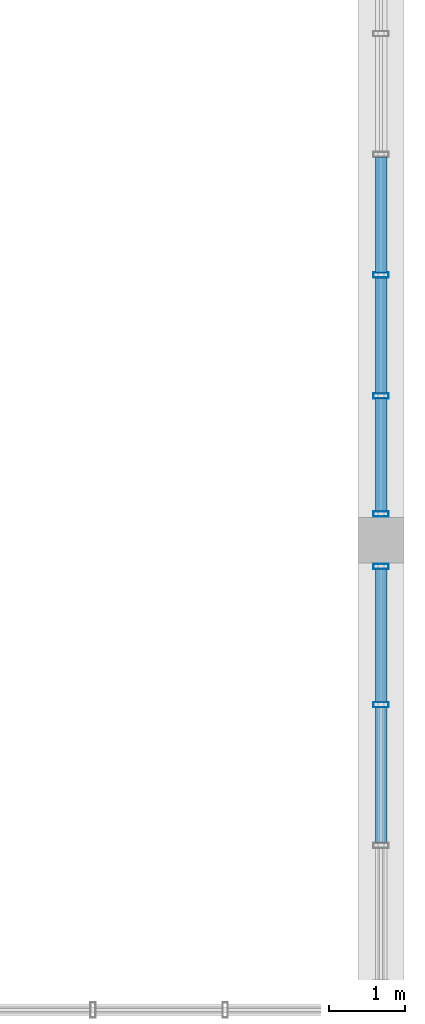
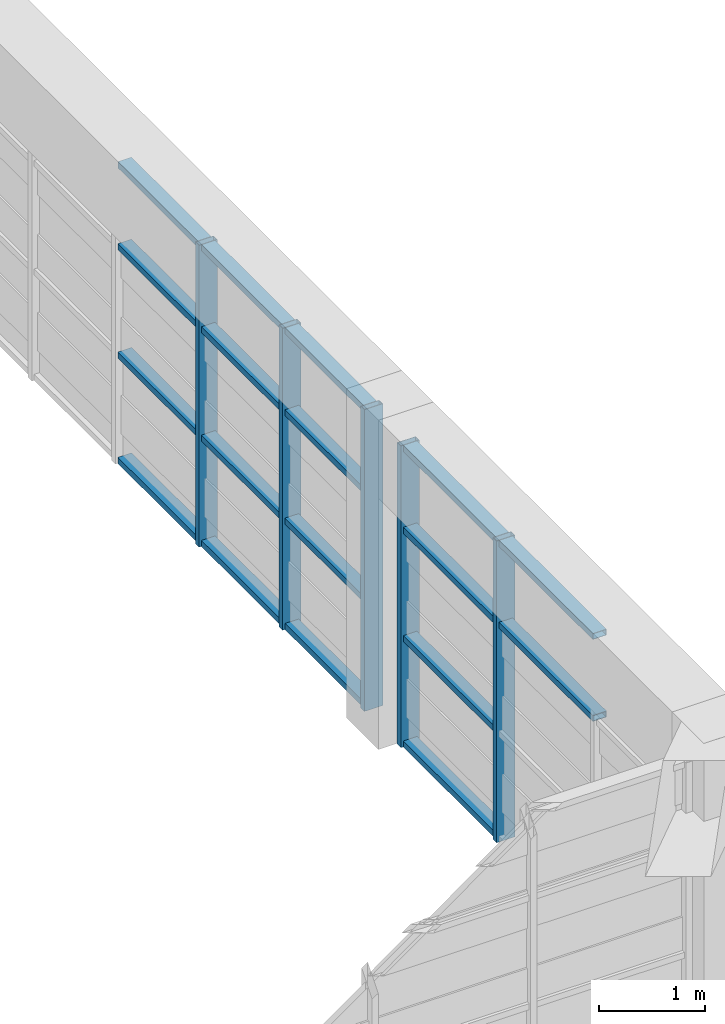
# One storey, part 7 of 27: 23 members, 2 elements without a shape of their own.
"""IFC4 building model written with IfcOpenShell, lengths in metres."""

from ifc_helpers import new_model, si_unit, direction, frame, origin, origin_2d, place, context, subcontext, project, spatial, hollow_rectangle, extrude, source, transform, mapped, material, layer, layer_set, material_profile, profile_set, type_object, element, aggregate, save


model = new_model("IFC4")

# Units and contexts
model_context = context("Model", 3, precision=1e-05, world=origin(), true_north=direction((0.0, 1.0)))
body_context = subcontext(model_context, "Body", "Model", "MODEL_VIEW")
ifc_project = project(units=[si_unit("LENGTHUNIT", "METRE"), si_unit("AREAUNIT", "SQUARE_METRE"), si_unit("VOLUMEUNIT", "CUBIC_METRE"), si_unit("PLANEANGLEUNIT", "RADIAN"), si_unit("MASSUNIT", "GRAM", prefix="KILO")], contexts=[model_context])

# Site, building, storey
site_placement = place(None, origin())
site = spatial("IfcSite", under=ifc_project, at=site_placement, CompositionType="ELEMENT")
building_placement = place(site_placement, origin())
building = spatial("IfcBuilding", under=site, at=building_placement, Name="Saelheon Loggia Tower", CompositionType="ELEMENT")
storey_placement = place(building_placement, frame((0.0, 0.0, 256.0)))
storey = spatial("IfcBuildingStorey", under=building, at=storey_placement, Name="CR2", CompositionType="ELEMENT", Elevation=256.0)

# Curtain wall, members
ifc_material_1 = material(Name="Bronze-Anodised Aluminium and Fritted Ceramic Screen", Category="aluminium")
ifc_layer = layer(ifc_material_1, 0.219970703125)
ifc_layer_set = layer_set([ifc_layer], Name="Bronze-Anodised Aluminium and Fritted Ceramic Screen")
curtain_wall_type = type_object("IfcCurtainWallType", Name="CW_CrownScreen", PredefinedType="NOTDEFINED", material=ifc_layer_set)
curtain_wall_1_placement = place(storey_placement, origin())
curtain_wall_1 = element("IfcCurtainWall", 1, at=curtain_wall_1_placement, inside=storey, type_object=curtain_wall_type, Name="CR2 Crown Screen Curtain Wall 3-1", PredefinedType="NOTDEFINED")
ifc_material_2 = material(Name="Bronze-Anodised Aluminium 6063-T6", Category="aluminium")
ifc_material_profile_1 = material_profile(ifc_material_2, hollow_rectangle(XDim=0.070068359375, YDim=0.199951171875, WallThickness=0.0048828125, at=origin_2d()), Name="RHS-200x70x5")
ifc_profile_set_1 = profile_set([ifc_material_profile_1], Name="Bronze-Anodised Aluminium 6063-T6")
member_type_1 = type_object("IfcMemberType", Name="CW_CrownScreen_Mullion", PredefinedType="MULLION", material=ifc_profile_set_1)
shared_shape_1 = source(origin(), body_context, "Body", "SweptSolid", [
    extrude(hollow_rectangle(XDim=0.070068359375, YDim=0.199951171875, WallThickness=0.0048828125, at=origin_2d()), origin(), (0.0, 0.0, 1.0), 3.47998046875),
])
member_1_placement = place(storey_placement, frame((52.64990234375, 15.8466796875, 0.0), z_axis=(0.0, 0.0, 1.0), x_axis=(0.0, 1.0, 0.0)))
member_1 = element("IfcMember", 2, at=member_1_placement, type_object=member_type_1, Name="CW6 mullion 3", PredefinedType="MULLION", context=body_context, shape_type="MappedRepresentation", body=[
    mapped(shared_shape_1, transform((0.0, 0.0, 0.0), scale=1.0)),
])
member_2_placement = place(storey_placement, frame((52.64990234375, 17.655029296875, 0.0), z_axis=(0.0, 0.0, 1.0), x_axis=(0.0, 1.0, 0.0)))
member_2 = element("IfcMember", 3, at=member_2_placement, type_object=member_type_1, Name="CW6 mullion 4", PredefinedType="MULLION", context=body_context, shape_type="MappedRepresentation", body=[
    mapped(shared_shape_1, transform((0.0, 0.0, 0.0), scale=1.0)),
])

curtain_wall_2_placement = place(storey_placement, origin())
curtain_wall_2 = element("IfcCurtainWall", 4, at=curtain_wall_2_placement, inside=storey, type_object=curtain_wall_type, Name="CR2 Crown Screen Curtain Wall 3-2", PredefinedType="NOTDEFINED")
member_3_placement = place(storey_placement, frame((52.64990234375, 18.344970703125, 0.0), z_axis=(0.0, 0.0, 1.0), x_axis=(0.0, 1.0, 0.0)))
member_3 = element("IfcMember", 5, at=member_3_placement, type_object=member_type_1, Name="CW6 mullion 1", PredefinedType="MULLION", context=body_context, shape_type="MappedRepresentation", body=[
    mapped(shared_shape_1, transform((0.0, 0.0, 0.0), scale=1.0)),
])
member_4_placement = place(storey_placement, frame((52.64990234375, 19.889892578125, 0.0), z_axis=(0.0, 0.0, 1.0), x_axis=(0.0, 1.0, 0.0)))
member_4 = element("IfcMember", 6, at=member_4_placement, type_object=member_type_1, Name="CW6 mullion 2", PredefinedType="MULLION", context=body_context, shape_type="MappedRepresentation", body=[
    mapped(shared_shape_1, transform((0.0, 0.0, 0.0), scale=1.0)),
])
member_5_placement = place(storey_placement, frame((52.64990234375, 21.469970703125, 0.0), z_axis=(0.0, 0.0, 1.0), x_axis=(0.0, 1.0, 0.0)))
member_5 = element("IfcMember", 7, at=member_5_placement, type_object=member_type_1, Name="CW6 mullion 3", PredefinedType="MULLION", context=body_context, shape_type="MappedRepresentation", body=[
    mapped(shared_shape_1, transform((0.0, 0.0, 0.0), scale=1.0)),
])

# Member
ifc_material_profile_2 = material_profile(ifc_material_2, hollow_rectangle(XDim=0.070068359375, YDim=0.14990234375, WallThickness=0.0048828125, at=origin_2d()), Name="RHS-150x70x5")
ifc_profile_set_2 = profile_set([ifc_material_profile_2], Name="Bronze-Anodised Aluminium 6063-T6")
member_type_2 = type_object("IfcMemberType", Name="CW_CrownScreen_Transom", PredefinedType="USERDEFINED", material=ifc_profile_set_2)
shared_shape_2 = source(origin(), body_context, "Body", "SweptSolid", [
    extrude(hollow_rectangle(XDim=0.070068359375, YDim=0.14990234375, WallThickness=0.0048828125, at=origin_2d()), origin(), (0.0, 0.0, 1.0), 1.7734375),
])
member_6_placement = place(storey_placement, frame((52.64990234375, 14.038330078125, 2.5), z_axis=(0.0, 1.0, 0.0), x_axis=(0.0, 0.0, 1.0)))
member_6 = element("IfcMember", 8, at=member_6_placement, type_object=member_type_2, Name="CW6 transom 2.3", ObjectType="TRANSOM", PredefinedType="USERDEFINED", context=body_context, shape_type="MappedRepresentation", body=[
    mapped(shared_shape_2, transform((0.0, 0.0, 0.0), scale=1.0)),
])

member_7_placement = place(storey_placement, frame((52.64990234375, 14.038330078125, 3.445068359375), z_axis=(0.0, 1.0, 0.0), x_axis=(0.0, 0.0, 1.0)))
member_7 = element("IfcMember", 9, at=member_7_placement, type_object=member_type_2, Name="CW6 transom 2.4", ObjectType="TRANSOM", PredefinedType="USERDEFINED", context=body_context, shape_type="MappedRepresentation", body=[
    mapped(shared_shape_2, transform((0.0, 0.0, 0.0), scale=1.0)),
])

shared_shape_3 = source(origin(), body_context, "Body", "SweptSolid", [
    extrude(hollow_rectangle(XDim=0.070068359375, YDim=0.14990234375, WallThickness=0.0048828125, at=origin_2d()), origin(), (0.0, 0.0, 1.0), 1.738525390625),
])
member_8_placement = place(storey_placement, frame((52.64990234375, 15.881591796875, 0.034912109375), z_axis=(0.0, 1.0, 0.0), x_axis=(0.0, 0.0, 1.0)))
member_8 = element("IfcMember", 10, at=member_8_placement, type_object=member_type_2, Name="CW6 transom 3.1", ObjectType="TRANSOM", PredefinedType="USERDEFINED", context=body_context, shape_type="MappedRepresentation", body=[
    mapped(shared_shape_3, transform((0.0, 0.0, 0.0), scale=1.0)),
])

member_9_placement = place(storey_placement, frame((52.64990234375, 15.881591796875, 1.25), z_axis=(0.0, 1.0, 0.0), x_axis=(0.0, 0.0, 1.0)))
member_9 = element("IfcMember", 11, at=member_9_placement, type_object=member_type_2, Name="CW6 transom 3.2", ObjectType="TRANSOM", PredefinedType="USERDEFINED", context=body_context, shape_type="MappedRepresentation", body=[
    mapped(shared_shape_3, transform((0.0, 0.0, 0.0), scale=1.0)),
])

member_10_placement = place(storey_placement, frame((52.64990234375, 15.881591796875, 2.5), z_axis=(0.0, 1.0, 0.0), x_axis=(0.0, 0.0, 1.0)))
member_10 = element("IfcMember", 12, at=member_10_placement, type_object=member_type_2, Name="CW6 transom 3.3", ObjectType="TRANSOM", PredefinedType="USERDEFINED", context=body_context, shape_type="MappedRepresentation", body=[
    mapped(shared_shape_3, transform((0.0, 0.0, 0.0), scale=1.0)),
])

member_11_placement = place(storey_placement, frame((52.64990234375, 15.881591796875, 3.445068359375), z_axis=(0.0, 1.0, 0.0), x_axis=(0.0, 0.0, 1.0)))
member_11 = element("IfcMember", 13, at=member_11_placement, type_object=member_type_2, Name="CW6 transom 3.4", ObjectType="TRANSOM", PredefinedType="USERDEFINED", context=body_context, shape_type="MappedRepresentation", body=[
    mapped(shared_shape_3, transform((0.0, 0.0, 0.0), scale=1.0)),
])

aggregate(curtain_wall_1, [member_1, member_2, member_6, member_7, member_8, member_9, member_10, member_11])

shared_shape_4 = source(origin(), body_context, "Body", "SweptSolid", [
    extrude(hollow_rectangle(XDim=0.070068359375, YDim=0.14990234375, WallThickness=0.0048828125, at=origin_2d()), origin(), (0.0, 0.0, 1.0), 1.47509765625),
])
member_12_placement = place(storey_placement, frame((52.64990234375, 18.3798828125, 0.034912109375), z_axis=(0.0, 1.0, 0.0), x_axis=(0.0, 0.0, 1.0)))
member_12 = element("IfcMember", 14, at=member_12_placement, type_object=member_type_2, Name="CW6 transom 1.1", ObjectType="TRANSOM", PredefinedType="USERDEFINED", context=body_context, shape_type="MappedRepresentation", body=[
    mapped(shared_shape_4, transform((0.0, 0.0, 0.0), scale=1.0)),
])

member_13_placement = place(storey_placement, frame((52.64990234375, 18.3798828125, 1.25), z_axis=(0.0, 1.0, 0.0), x_axis=(0.0, 0.0, 1.0)))
member_13 = element("IfcMember", 15, at=member_13_placement, type_object=member_type_2, Name="CW6 transom 1.2", ObjectType="TRANSOM", PredefinedType="USERDEFINED", context=body_context, shape_type="MappedRepresentation", body=[
    mapped(shared_shape_4, transform((0.0, 0.0, 0.0), scale=1.0)),
])

member_14_placement = place(storey_placement, frame((52.64990234375, 18.3798828125, 2.5), z_axis=(0.0, 1.0, 0.0), x_axis=(0.0, 0.0, 1.0)))
member_14 = element("IfcMember", 16, at=member_14_placement, type_object=member_type_2, Name="CW6 transom 1.3", ObjectType="TRANSOM", PredefinedType="USERDEFINED", context=body_context, shape_type="MappedRepresentation", body=[
    mapped(shared_shape_4, transform((0.0, 0.0, 0.0), scale=1.0)),
])

member_15_placement = place(storey_placement, frame((52.64990234375, 18.3798828125, 3.445068359375), z_axis=(0.0, 1.0, 0.0), x_axis=(0.0, 0.0, 1.0)))
member_15 = element("IfcMember", 17, at=member_15_placement, type_object=member_type_2, Name="CW6 transom 1.4", ObjectType="TRANSOM", PredefinedType="USERDEFINED", context=body_context, shape_type="MappedRepresentation", body=[
    mapped(shared_shape_4, transform((0.0, 0.0, 0.0), scale=1.0)),
])

shared_shape_5 = source(origin(), body_context, "Body", "SweptSolid", [
    extrude(hollow_rectangle(XDim=0.070068359375, YDim=0.14990234375, WallThickness=0.0048828125, at=origin_2d()), origin(), (0.0, 0.0, 1.0), 1.510009765625),
])
member_16_placement = place(storey_placement, frame((52.64990234375, 19.925048828125, 0.034912109375), z_axis=(0.0, 1.0, 0.0), x_axis=(0.0, 0.0, 1.0)))
member_16 = element("IfcMember", 18, at=member_16_placement, type_object=member_type_2, Name="CW6 transom 2.1", ObjectType="TRANSOM", PredefinedType="USERDEFINED", context=body_context, shape_type="MappedRepresentation", body=[
    mapped(shared_shape_5, transform((0.0, 0.0, 0.0), scale=1.0)),
])

member_17_placement = place(storey_placement, frame((52.64990234375, 19.925048828125, 1.25), z_axis=(0.0, 1.0, 0.0), x_axis=(0.0, 0.0, 1.0)))
member_17 = element("IfcMember", 19, at=member_17_placement, type_object=member_type_2, Name="CW6 transom 2.2", ObjectType="TRANSOM", PredefinedType="USERDEFINED", context=body_context, shape_type="MappedRepresentation", body=[
    mapped(shared_shape_5, transform((0.0, 0.0, 0.0), scale=1.0)),
])

member_18_placement = place(storey_placement, frame((52.64990234375, 19.925048828125, 2.5), z_axis=(0.0, 1.0, 0.0), x_axis=(0.0, 0.0, 1.0)))
member_18 = element("IfcMember", 20, at=member_18_placement, type_object=member_type_2, Name="CW6 transom 2.3", ObjectType="TRANSOM", PredefinedType="USERDEFINED", context=body_context, shape_type="MappedRepresentation", body=[
    mapped(shared_shape_5, transform((0.0, 0.0, 0.0), scale=1.0)),
])

member_19_placement = place(storey_placement, frame((52.64990234375, 19.925048828125, 3.445068359375), z_axis=(0.0, 1.0, 0.0), x_axis=(0.0, 0.0, 1.0)))
member_19 = element("IfcMember", 21, at=member_19_placement, type_object=member_type_2, Name="CW6 transom 2.4", ObjectType="TRANSOM", PredefinedType="USERDEFINED", context=body_context, shape_type="MappedRepresentation", body=[
    mapped(shared_shape_5, transform((0.0, 0.0, 0.0), scale=1.0)),
])

member_20_placement = place(storey_placement, frame((52.64990234375, 21.5048828125, 0.034912109375), z_axis=(0.0, 1.0, 0.0), x_axis=(0.0, 0.0, 1.0)))
member_20 = element("IfcMember", 22, at=member_20_placement, type_object=member_type_2, Name="CW6 transom 3.1", ObjectType="TRANSOM", PredefinedType="USERDEFINED", context=body_context, shape_type="MappedRepresentation", body=[
    mapped(shared_shape_5, transform((0.0, 0.0, 0.0), scale=1.0)),
])

member_21_placement = place(storey_placement, frame((52.64990234375, 21.5048828125, 1.25), z_axis=(0.0, 1.0, 0.0), x_axis=(0.0, 0.0, 1.0)))
member_21 = element("IfcMember", 23, at=member_21_placement, type_object=member_type_2, Name="CW6 transom 3.2", ObjectType="TRANSOM", PredefinedType="USERDEFINED", context=body_context, shape_type="MappedRepresentation", body=[
    mapped(shared_shape_5, transform((0.0, 0.0, 0.0), scale=1.0)),
])

member_22_placement = place(storey_placement, frame((52.64990234375, 21.5048828125, 2.5), z_axis=(0.0, 1.0, 0.0), x_axis=(0.0, 0.0, 1.0)))
member_22 = element("IfcMember", 24, at=member_22_placement, type_object=member_type_2, Name="CW6 transom 3.3", ObjectType="TRANSOM", PredefinedType="USERDEFINED", context=body_context, shape_type="MappedRepresentation", body=[
    mapped(shared_shape_5, transform((0.0, 0.0, 0.0), scale=1.0)),
])

member_23_placement = place(storey_placement, frame((52.64990234375, 21.5048828125, 3.445068359375), z_axis=(0.0, 1.0, 0.0), x_axis=(0.0, 0.0, 1.0)))
member_23 = element("IfcMember", 25, at=member_23_placement, type_object=member_type_2, Name="CW6 transom 3.4", ObjectType="TRANSOM", PredefinedType="USERDEFINED", context=body_context, shape_type="MappedRepresentation", body=[
    mapped(shared_shape_5, transform((0.0, 0.0, 0.0), scale=1.0)),
])

aggregate(curtain_wall_2, [member_3, member_4, member_5, member_12, member_13, member_14, member_15, member_16, member_17, member_18, member_19, member_20, member_21, member_22, member_23])

save(model, "model.ifc")
